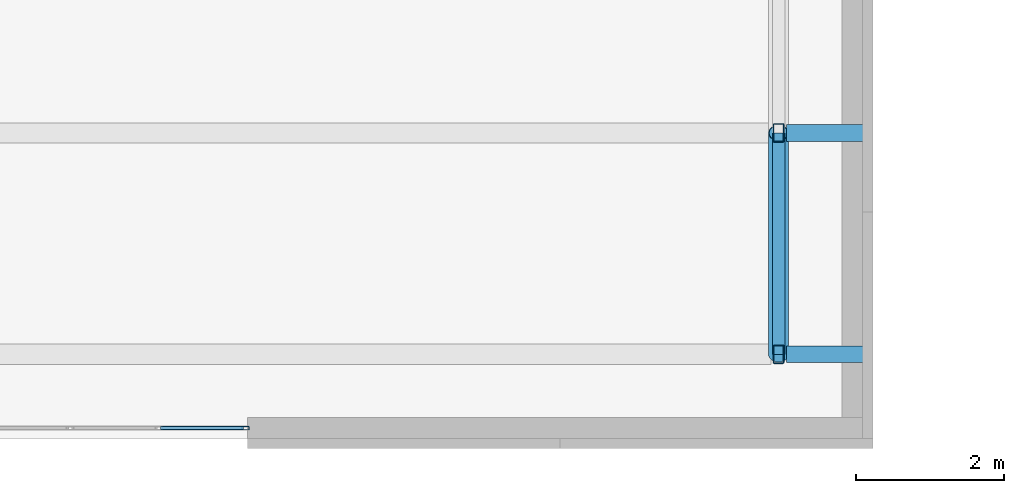
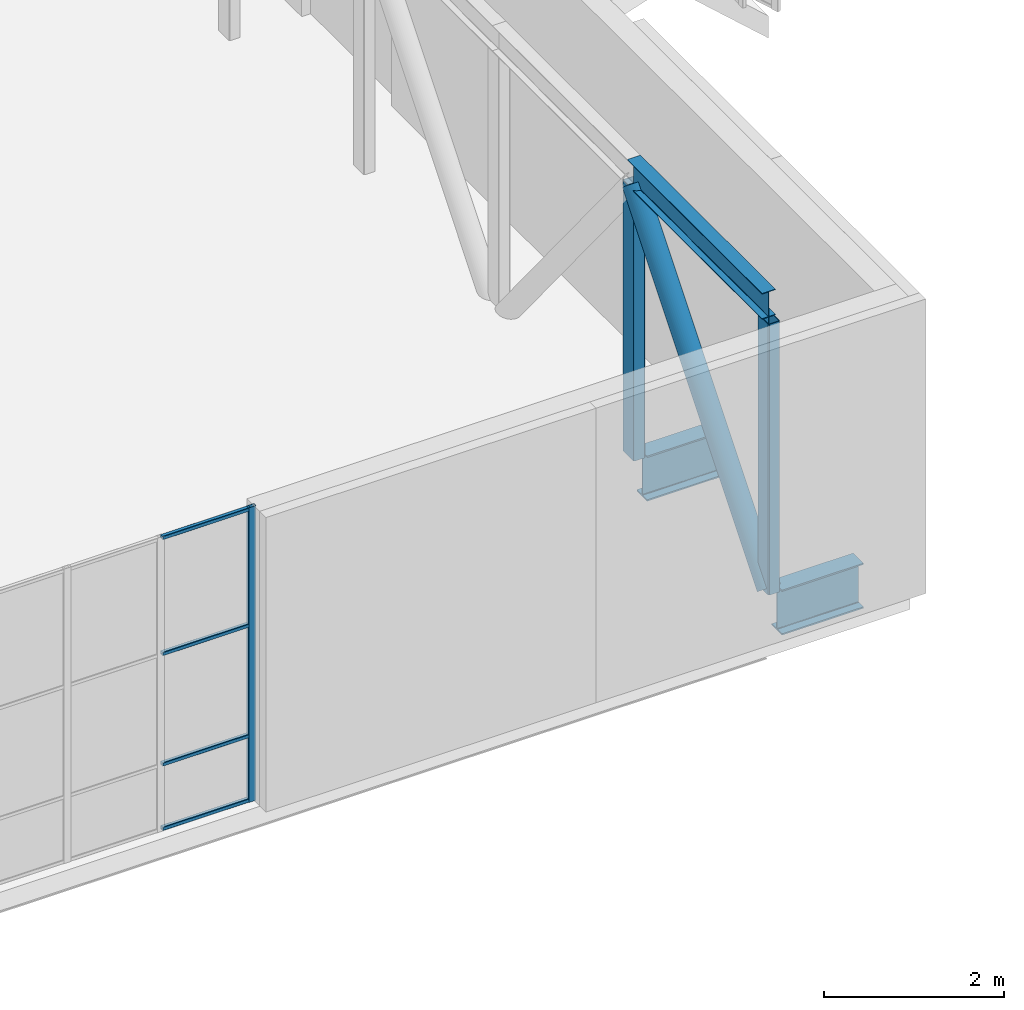
# One storey, part 14 of 72: 9 members, 2 beams, 1 element without a shape of its own.
"""IFC4 building model written with IfcOpenShell, lengths in metres."""

from ifc_helpers import new_model, si_unit, direction, frame, origin, origin_2d, place, context, subcontext, project, spatial, hollow_rectangle, hollow_circle, i_section, extrude, material, layer, layer_set, material_profile, profile_set, type_object, element, aggregate, save


model = new_model("IFC4")

# Units and contexts
model_context = context("Model", 3, precision=1e-05, world=origin(), true_north=direction((0.0, 1.0)))
body_context = subcontext(model_context, "Body", "Model", "MODEL_VIEW")
ifc_project = project(units=[si_unit("LENGTHUNIT", "METRE"), si_unit("AREAUNIT", "SQUARE_METRE"), si_unit("VOLUMEUNIT", "CUBIC_METRE"), si_unit("PLANEANGLEUNIT", "RADIAN"), si_unit("MASSUNIT", "GRAM", prefix="KILO")], contexts=[model_context])

# Site, building, storey
site_placement = place(None, origin())
site = spatial("IfcSite", under=ifc_project, at=site_placement, CompositionType="ELEMENT")
building_placement = place(site_placement, origin())
building = spatial("IfcBuilding", under=site, at=building_placement, Name="Tuart Plaza Theatre", CompositionType="ELEMENT")
storey_placement = place(building_placement, frame((0.0, 0.0, 13.5)))
storey = spatial("IfcBuildingStorey", under=building, at=storey_placement, Name="L03", CompositionType="ELEMENT", Elevation=13.5)

# Beams
ifc_material_1 = material(Name="Steel Grade 300", Category="steel")
ifc_material_profile_1 = material_profile(ifc_material_1, i_section(OverallWidth=0.22900390625, OverallDepth=0.612060546875, WebThickness=0.011962890625, FlangeThickness=0.01953125, FilletRadius=0.013916015625, at=origin_2d()), Name="610UB125")
ifc_profile_set_1 = profile_set([ifc_material_profile_1], Name="Steel Grade 300")
beam_type = type_object("IfcBeamType", Name="BEAM 610UB125", PredefinedType="BEAM", material=ifc_profile_set_1)
for number, where, z_axis, x_axis, name in (
    (1, (105.1044921875, 32.0, -0.555908203125), (1.0, 0.0, 0.0), (0.0, 1.0, 0.0), "SB102"),
    (2, (105.1044921875, 35.0, -0.555908203125), (1.0, 0.0, 0.0), (0.0, 1.0, 0.0), "SB105"),
):
    element("IfcBeam", number, at=place(storey_placement, frame(where, z_axis=z_axis, x_axis=x_axis)), inside=storey, type_object=beam_type, Name=name, PredefinedType="BEAM", context=body_context, shape_type="SweptSolid", body=[
        extrude(i_section(OverallWidth=0.22900390625, OverallDepth=0.612060546875, WebThickness=0.011962890625, FlangeThickness=0.01953125, FilletRadius=0.013916015625, at=origin_2d()), origin(), (0.0, 0.0, 1.0), 1.04541015625),
    ])

# Members
ifc_material_2 = material(Name="Steel Grade 300", Category="steel")
ifc_material_profile_2 = material_profile(ifc_material_2, i_section(OverallWidth=0.1708984375, OverallDepth=0.35205078125, WebThickness=0.0068359375, FlangeThickness=0.009765625, FilletRadius=0.011474609375, at=origin_2d()), Name="360UB44.7")
ifc_profile_set_2 = profile_set([ifc_material_profile_2], Name="Steel Grade 300")
member_type_1 = type_object("IfcMemberType", Name="BELT TRUSS Chord 360UB44.7", PredefinedType="CHORD", material=ifc_profile_set_2)
member_1_placement = place(storey_placement, frame((105.0, 32.0, 3.60009765625), z_axis=(0.0, 1.0, 0.0), x_axis=(-1.0, 0.0, 0.0)))
element("IfcMember", 3, at=member_1_placement, inside=storey, type_object=member_type_1, Name="CH60", PredefinedType="CHORD", context=body_context, shape_type="SweptSolid", body=[
    extrude(i_section(OverallWidth=0.1708984375, OverallDepth=0.35205078125, WebThickness=0.0068359375, FlangeThickness=0.009765625, FilletRadius=0.011474609375, at=origin_2d()), origin(), (0.0, 0.0, 1.0), 3.0),
])
ifc_material_3 = material(Name="Steel Grade C350L0", Category="steel")
ifc_material_profile_3 = material_profile(ifc_material_3, hollow_circle(Radius=0.136474609375, WallThickness=0.00927734375, at=origin_2d()), Name="273.1x9.3 CHS")
ifc_profile_set_3 = profile_set([ifc_material_profile_3], Name="Steel Grade C350L0")
member_type_2 = type_object("IfcMemberType", Name="BELT TRUSS Diagonal 273.1x9.3 CHS", PredefinedType="BRACE", material=ifc_profile_set_3)
member_2_placement = place(storey_placement, frame((105.0, 32.0, -0.25341796875), z_axis=(0.0, 0.632119412197, 0.774870988438), x_axis=(-1.0, 0.0, 0.0)))
element("IfcMember", 4, at=member_2_placement, inside=storey, type_object=member_type_2, Name="BR165", PredefinedType="BRACE", context=body_context, shape_type="SweptSolid", body=[
    extrude(hollow_circle(Radius=0.136474609375, WallThickness=0.00927734375, at=origin_2d()), origin(), (0.0, 0.0, 1.0), 4.745849609375),
])
ifc_material_4 = material(Name="Steel Grade C350L0", Category="steel")
ifc_material_profile_4 = material_profile(ifc_material_4, hollow_rectangle(XDim=0.14990234375, YDim=0.25, WallThickness=0.009033203125, InnerFilletRadius=0.009033203125, OuterFilletRadius=0.01806640625, at=origin_2d()), Name="250x150x9 RHS")
ifc_profile_set_4 = profile_set([ifc_material_profile_4], Name="Steel Grade C350L0")
member_type_3 = type_object("IfcMemberType", Name="BELT TRUSS Post 250x150x9 RHS", PredefinedType="POST", material=ifc_profile_set_4)
for number, where, z_axis, x_axis, name in (
    (5, (105.0, 32.0, -0.25341796875), (0.0, 0.0, 1.0), (1.0, 0.0, 0.0), "PO227"),
    (6, (105.0, 35.0, -0.25341796875), (0.0, 0.0, 1.0), (1.0, 0.0, 0.0), "PO229"),
):
    element("IfcMember", number, at=place(storey_placement, frame(where, z_axis=z_axis, x_axis=x_axis)), inside=storey, type_object=member_type_3, Name=name, PredefinedType="POST", context=body_context, shape_type="SweptSolid", body=[
        extrude(hollow_rectangle(XDim=0.14990234375, YDim=0.25, WallThickness=0.009033203125, InnerFilletRadius=0.009033203125, OuterFilletRadius=0.01806640625, at=origin_2d()), origin(), (0.0, 0.0, 1.0), 3.677490234375),
    ])

# Curtain wall, members
ifc_material_5 = material(Name="Aluminium and glass", Category="aluminium")
ifc_layer = layer(ifc_material_5, 0.10009765625)
ifc_layer_set = layer_set([ifc_layer], Name="CURTAIN WALL 1200 module")
curtain_wall_type = type_object("IfcCurtainWallType", Name="CURTAIN WALL 1200 module", PredefinedType="NOTDEFINED", material=ifc_layer_set)
curtain_wall_placement = place(storey_placement, origin())
curtain_wall = element("IfcCurtainWall", 7, at=curtain_wall_placement, inside=storey, type_object=curtain_wall_type, Name="CW46", PredefinedType="NOTDEFINED")
ifc_material_6 = material(Name="Aluminium 6063-T5", Category="aluminium")
ifc_material_profile_5 = material_profile(ifc_material_6, hollow_rectangle(XDim=0.050048828125, YDim=0.10009765625, WallThickness=0.00390625, InnerFilletRadius=0.00390625, OuterFilletRadius=0.008056640625, at=origin_2d()), Name="RHS 100x50x4")
ifc_profile_set_5 = profile_set([ifc_material_profile_5], Name="Aluminium 6063-T5")
member_type_4 = type_object("IfcMemberType", Name="MULLION RHS 100x50x4", PredefinedType="MULLION", material=ifc_profile_set_5)
member_3_placement = place(storey_placement, frame((97.77490234375, 31.0, 0.0), z_axis=(0.0, 0.0, 1.0), x_axis=(0.0, 1.0, 0.0)))
member_3 = element("IfcMember", 8, at=member_3_placement, type_object=member_type_4, Name="CW46 mullion 4", PredefinedType="MULLION", context=body_context, shape_type="SweptSolid", body=[
    extrude(hollow_rectangle(XDim=0.050048828125, YDim=0.10009765625, WallThickness=0.00390625, InnerFilletRadius=0.00390625, OuterFilletRadius=0.008056640625, at=origin_2d()), origin(), (0.0, 0.0, 1.0), 4.0),
])
ifc_material_7 = material(Name="Aluminium 6063-T5", Category="aluminium")
ifc_material_profile_6 = material_profile(ifc_material_7, hollow_rectangle(XDim=0.050048828125, YDim=0.050048828125, WallThickness=0.00390625, InnerFilletRadius=0.00390625, OuterFilletRadius=0.008056640625, at=origin_2d()), Name="RHS 50x50x4")
ifc_profile_set_6 = profile_set([ifc_material_profile_6], Name="Aluminium 6063-T5")
member_type_5 = type_object("IfcMemberType", Name="TRANSOM RHS 50x50x4", PredefinedType="USERDEFINED", material=ifc_profile_set_6)
member_4_placement = place(storey_placement, frame((96.625, 31.0, 0.02490234375), z_axis=(1.0, 0.0, 0.0), x_axis=(0.0, 1.0, 0.0)))
member_4 = element("IfcMember", 9, at=member_4_placement, type_object=member_type_5, Name="CW46 transom 3.1", ObjectType="TRANSOM", PredefinedType="USERDEFINED", context=body_context, shape_type="SweptSolid", body=[
    extrude(hollow_rectangle(XDim=0.050048828125, YDim=0.050048828125, WallThickness=0.00390625, InnerFilletRadius=0.00390625, OuterFilletRadius=0.008056640625, at=origin_2d()), origin(), (0.0, 0.0, 1.0), 1.125),
])
member_5_placement = place(storey_placement, frame((96.625, 31.0, 0.89990234375), z_axis=(1.0, 0.0, 0.0), x_axis=(0.0, 1.0, 0.0)))
member_5 = element("IfcMember", 10, at=member_5_placement, type_object=member_type_5, Name="CW46 transom 3.2", ObjectType="TRANSOM", PredefinedType="USERDEFINED", context=body_context, shape_type="SweptSolid", body=[
    extrude(hollow_rectangle(XDim=0.050048828125, YDim=0.050048828125, WallThickness=0.00390625, InnerFilletRadius=0.00390625, OuterFilletRadius=0.008056640625, at=origin_2d()), origin(), (0.0, 0.0, 1.0), 1.125),
])
member_6_placement = place(storey_placement, frame((96.625, 31.0, 2.39990234375), z_axis=(1.0, 0.0, 0.0), x_axis=(0.0, 1.0, 0.0)))
member_6 = element("IfcMember", 11, at=member_6_placement, type_object=member_type_5, Name="CW46 transom 3.3", ObjectType="TRANSOM", PredefinedType="USERDEFINED", context=body_context, shape_type="SweptSolid", body=[
    extrude(hollow_rectangle(XDim=0.050048828125, YDim=0.050048828125, WallThickness=0.00390625, InnerFilletRadius=0.00390625, OuterFilletRadius=0.008056640625, at=origin_2d()), origin(), (0.0, 0.0, 1.0), 1.125),
])
member_7_placement = place(storey_placement, frame((96.625, 31.0, 3.97509765625), z_axis=(1.0, 0.0, 0.0), x_axis=(0.0, 1.0, 0.0)))
member_7 = element("IfcMember", 12, at=member_7_placement, type_object=member_type_5, Name="CW46 transom 3.4", ObjectType="TRANSOM", PredefinedType="USERDEFINED", context=body_context, shape_type="SweptSolid", body=[
    extrude(hollow_rectangle(XDim=0.050048828125, YDim=0.050048828125, WallThickness=0.00390625, InnerFilletRadius=0.00390625, OuterFilletRadius=0.008056640625, at=origin_2d()), origin(), (0.0, 0.0, 1.0), 1.125),
])
aggregate(curtain_wall, [member_3, member_4, member_5, member_6, member_7])

save(model, "model.ifc")
